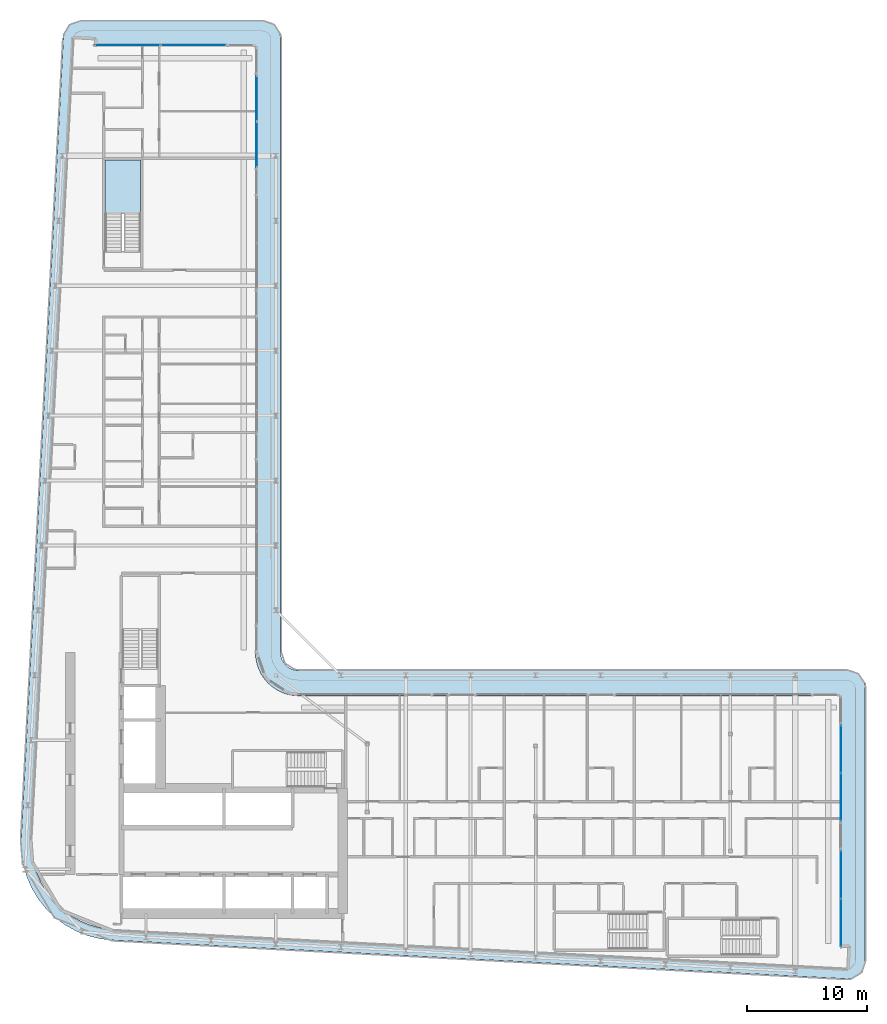
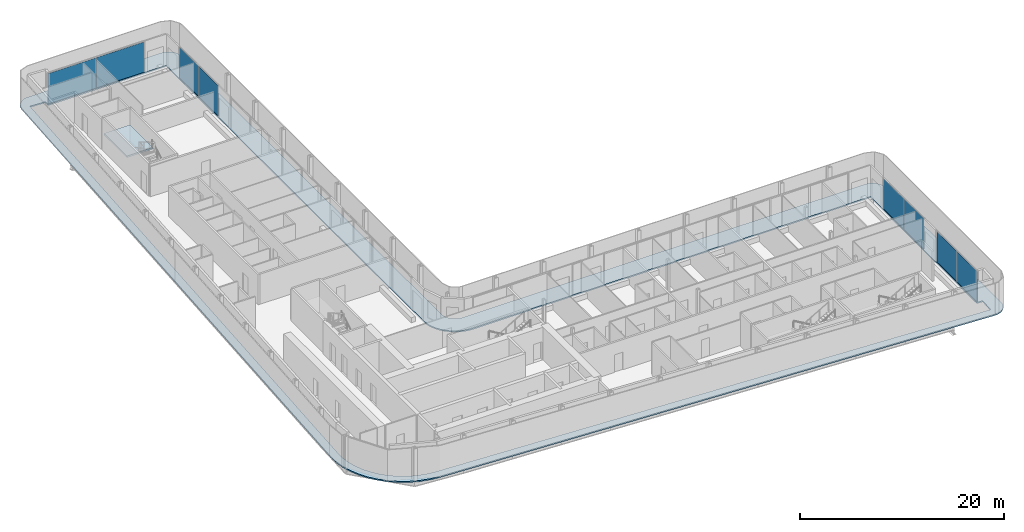
# One storey, part 14 of 30: 8 plates, 2 slabs, 5 elements without a shape of their own.
"""IFC4 building model written with IfcOpenShell, lengths in metres."""

import ifcopenshell
import ifcopenshell.guid

model = None  # the IFC model being written
_history = None  # IfcOwnerHistory: only IFC2X3 demands one
_inside = {}  # id of a spatial element -> (the spatial element, [elements in it])
_under = {}  # id of a project, library or spatial element -> (it, [spatial elements below it])
_declared = {}  # id of a project -> (the project, [libraries it declares])
_typed = {}  # id of a type object -> (the type object, [elements of that type])
_made_of = {}  # id of a material, layer set ... -> (it, [elements and type objects made of it])


def new_model(schema):
    """Start an empty IFC model of exactly this schema.

    Asked for "IFC4X3", IfcOpenShell would pick the latest addendum, in which some entities
    have other attributes; the version numbers below select the first issue.
    IFC2X3 requires an IfcOwnerHistory on every rooted entity: one is made here for all.
    """
    global model, _history
    if schema == "IFC4X3":
        model = ifcopenshell.file(schema_version=(4, 3, 0, 0))
    else:
        model = ifcopenshell.file(schema=schema)
    _inside.clear()
    _under.clear()
    _declared.clear()
    _typed.clear()
    _made_of.clear()
    _history = None
    if model.schema == "IFC2X3":
        org = make("IfcOrganization", Name="unknown")
        user = make(
            "IfcPersonAndOrganization",
            ThePerson=make("IfcPerson", FamilyName="unknown"),
            TheOrganization=org,
        )
        app = make(
            "IfcApplication",
            ApplicationDeveloper=org,
            Version="unknown",
            ApplicationFullName="unknown",
            ApplicationIdentifier="unknown",
        )
        _history = make(
            "IfcOwnerHistory",
            OwningUser=user,
            OwningApplication=app,
            ChangeAction="ADDED",
            CreationDate=0,
        )
    return model


def make(cls, **values):
    """One entity of the class cls with the attributes given. An attribute that is None is left unset."""
    return model.create_entity(
        cls, **{name: value for name, value in values.items() if value is not None}
    )


def rooted(cls, **values):
    """An entity with a GlobalId (a new one), such as an element, a storey or a relation."""
    return make(cls, GlobalId=ifcopenshell.guid.new(), OwnerHistory=_history, **values)


def si_unit(unit_type, name, prefix=None):
    """IfcSIUnit, for example si_unit("LENGTHUNIT", "METRE", prefix="MILLI")."""
    return make("IfcSIUnit", UnitType=unit_type, Prefix=prefix, Name=name)


def assignment(units):
    """IfcUnitAssignment: the units of a project."""
    return None if units is None else make("IfcUnitAssignment", Units=units)


def point(xyz):
    """IfcCartesianPoint."""
    return None if xyz is None else make("IfcCartesianPoint", Coordinates=xyz)


def direction(xyz):
    """IfcDirection."""
    return None if xyz is None else make("IfcDirection", DirectionRatios=xyz)


def frame(location, z_axis=None, x_axis=None):
    """IfcAxis2Placement3D, a coordinate frame: its origin and axes. An axis left out is left unset."""
    return make(
        "IfcAxis2Placement3D",
        Location=point(location),
        Axis=direction(z_axis),
        RefDirection=direction(x_axis),
    )


def frame_2d(location, x_axis=None):
    """IfcAxis2Placement2D, a coordinate frame in the plane: its origin and x axis."""
    return make(
        "IfcAxis2Placement2D", Location=point(location), RefDirection=direction(x_axis)
    )


def origin():
    """The frame at (0, 0, 0) with its axes left unset."""
    return frame((0.0, 0.0, 0.0))


def origin_2d():
    """The frame at (0, 0) in the plane with its x axis left unset."""
    return frame_2d((0.0, 0.0))


def place(relative_to, where):
    """IfcLocalPlacement: puts the frame where relative to a parent placement (None: the world)."""
    return make(
        "IfcLocalPlacement", PlacementRelTo=relative_to, RelativePlacement=where
    )


def context(
    kind, dimensions, precision=None, world=None, true_north=None, identifier=None
):
    """IfcGeometricRepresentationContext, for example the 3D "Model" context."""
    return make(
        "IfcGeometricRepresentationContext",
        ContextIdentifier=identifier,
        ContextType=kind,
        CoordinateSpaceDimension=dimensions,
        Precision=precision,
        WorldCoordinateSystem=world,
        TrueNorth=true_north,
    )


def subcontext(parent, identifier, kind, view, scale=None):
    """IfcGeometricRepresentationSubContext, for example "Body" below "Model"."""
    return make(
        "IfcGeometricRepresentationSubContext",
        ContextIdentifier=identifier,
        ContextType=kind,
        ParentContext=parent,
        TargetScale=scale,
        TargetView=view,
    )


def project(units=None, contexts=None):
    """IfcProject with its units and contexts."""
    return rooted(
        "IfcProject",
        Name="project",
        RepresentationContexts=contexts,
        UnitsInContext=assignment(units),
    )


def spatial(cls, under=None, at=None, **own):
    """A site, building, storey or space (cls), placed at a placement, below another one or the project."""
    s = rooted(cls, ObjectPlacement=at, **own)
    if under is not None:
        _under.setdefault(under.id(), (under, []))[1].append(s)
    return s


def polyline(points):
    """IfcPolyline through the points."""
    return make("IfcPolyline", Points=[point(p) for p in points])


def profile(cls, at=None, kind="AREA", **sizes):
    """A parametric profile (cls). Its sizes go by their IFC names, for example OverallWidth=200.0."""
    return make(cls, ProfileType=kind, Position=at, **sizes)


def rectangle(**sizes):
    """IfcRectangleProfileDef."""
    return profile("IfcRectangleProfileDef", **sizes)


def outline(outer, holes=None, kind="AREA"):
    """IfcArbitraryClosedProfileDef: a profile drawn as a closed curve; with holes, ...WithVoids."""
    if holes is None:
        return make("IfcArbitraryClosedProfileDef", ProfileType=kind, OuterCurve=outer)
    return make(
        "IfcArbitraryProfileDefWithVoids",
        ProfileType=kind,
        OuterCurve=outer,
        InnerCurves=holes,
    )


def extrude(swept, where, along, depth):
    """IfcExtrudedAreaSolid: the profile swept, set in the frame where, extruded along a direction by depth."""
    return make(
        "IfcExtrudedAreaSolid",
        SweptArea=swept,
        Position=where,
        ExtrudedDirection=direction(along),
        Depth=depth,
    )


def shape(context_of_items, identifier, shape_type, items):
    """IfcShapeRepresentation: the items that make up one representation, for example the "Body"."""
    return make(
        "IfcShapeRepresentation",
        ContextOfItems=context_of_items,
        RepresentationIdentifier=identifier,
        RepresentationType=shape_type,
        Items=items,
    )


def material(Name=None, Category=None):
    """IfcMaterial."""
    return make("IfcMaterial", Name=Name, Category=Category)


def layer(
    of_material, thickness, ventilated=None, Name=None, Category=None, Priority=None
):
    """IfcMaterialLayer: one layer of a wall or slab, of a material (None: an air gap)."""
    return make(
        "IfcMaterialLayer",
        Material=of_material,
        LayerThickness=thickness,
        IsVentilated=ventilated,
        Name=Name,
        Category=Category,
        Priority=Priority,
    )


def layer_set(layers, Name=None):
    """IfcMaterialLayerSet."""
    return make("IfcMaterialLayerSet", MaterialLayers=layers, LayerSetName=Name)


def made_of(thing, what):
    """Note that an element or type object is made of a material, layer set ...; save() writes the relation."""
    if what is not None:
        _made_of.setdefault(what.id(), (what, []))[1].append(thing)
    return thing


def type_object(cls, material=None, **own):
    """A type object (cls), such as IfcWallType, which elements share."""
    return made_of(rooted(cls, **own), material)


def element(
    cls,
    number,
    at=None,
    inside=None,
    cuts=None,
    type_object=None,
    material=None,
    context=None,
    identifier="Body",
    shape_type=None,
    held_by="IfcProductDefinitionShape",
    body=None,
    shapes=None,
    **own,
):
    """One element of the class cls, such as IfcWall. Its Tag is "e" and its number.

    at: its placement. inside: the storey or other place that contains it. cuts: it is an
    opening in that element (IfcRelVoidsElement). A single representation is given by context,
    identifier, shape_type and body (its items); several are given by shapes. held_by: the class
    of the entity that holds the representations. save() writes the other relations.
    """
    e = rooted(cls, Tag="e%d" % number, ObjectPlacement=at, **own)
    if body is not None:
        shapes = [shape(context, identifier, shape_type, body)]
    if shapes is not None:
        e.Representation = make(held_by, Representations=shapes)
    if inside is not None:
        _inside.setdefault(inside.id(), (inside, []))[1].append(e)
    if cuts is not None:
        rooted(
            "IfcRelVoidsElement", RelatingBuildingElement=cuts, RelatedOpeningElement=e
        )
    if type_object is not None:
        _typed.setdefault(type_object.id(), (type_object, []))[1].append(e)
    return made_of(e, material)


def aggregate(whole, parts):
    """IfcRelAggregates: a whole, such as a stair, and the parts it consists of."""
    return rooted("IfcRelAggregates", RelatingObject=whole, RelatedObjects=parts)


def save(model, path):
    """Write the relations noted so far, then the file.

    IfcRelAggregates (storeys below a building ...), IfcRelContainedInSpatialStructure (elements
    in a storey), IfcRelDefinesByType, IfcRelAssociatesMaterial and IfcRelDeclares: one each for
    every whole, place, type object, material and project.
    """
    for whole, parts in _under.values():
        aggregate(whole, parts)
    for where, things in _inside.values():
        rooted(
            "IfcRelContainedInSpatialStructure",
            RelatedElements=things,
            RelatingStructure=where,
        )
    for kind, things in _typed.values():
        rooted("IfcRelDefinesByType", RelatedObjects=things, RelatingType=kind)
    for what, things in _made_of.values():
        rooted("IfcRelAssociatesMaterial", RelatedObjects=things, RelatingMaterial=what)
    for by, libraries in _declared.values():
        rooted("IfcRelDeclares", RelatingContext=by, RelatedDefinitions=libraries)
    model.write(path)


model = new_model("IFC4")

# Units and contexts
model_context = context("Model", 3, precision=1e-05, world=origin(), true_north=direction((0.0, 1.0)))
body_context = subcontext(model_context, "Body", "Model", "MODEL_VIEW")
ifc_project = project(units=[si_unit("LENGTHUNIT", "METRE"), si_unit("AREAUNIT", "SQUARE_METRE"), si_unit("VOLUMEUNIT", "CUBIC_METRE"), si_unit("PLANEANGLEUNIT", "RADIAN"), si_unit("MASSUNIT", "GRAM", prefix="KILO")], contexts=[model_context])

# Site, building, storey
site_placement = place(None, origin())
site = spatial("IfcSite", under=ifc_project, at=site_placement, CompositionType="ELEMENT")
building_placement = place(site_placement, origin())
building = spatial("IfcBuilding", under=site, at=building_placement, Name="Kheshtan School and Residences Tower", CompositionType="ELEMENT")
storey_placement = place(building_placement, frame((0.0, 0.0, 164.300048828125)))
storey = spatial("IfcBuildingStorey", under=building, at=storey_placement, Name="L38", CompositionType="ELEMENT", Elevation=164.300048828125)

# Curtain wall, plates
ifc_material_1 = material(Name="Clear low-e glass in thermally broken aluminium frame", Category="aluminium")
ifc_layer_1 = layer(ifc_material_1, 0.199951171875)
ifc_layer_set_1 = layer_set([ifc_layer_1], Name="Curtain wall CW-L")
curtain_wall_type = type_object("IfcCurtainWallType", Name="Curtain wall CW-L", PredefinedType="NOTDEFINED", material=ifc_layer_set_1)
curtain_wall_1_placement = place(storey_placement, origin())
curtain_wall_1 = element("IfcCurtainWall", 1, at=curtain_wall_1_placement, inside=storey, type_object=curtain_wall_type, Name="Curtain wall CWL7", PredefinedType="NOTDEFINED")
ifc_layer_2 = layer(ifc_material_1, 0.031982421875)
ifc_layer_set_2 = layer_set([ifc_layer_2], Name="CW-L glass panel")
plate_type = type_object("IfcPlateType", Name="CW-L glass panel", PredefinedType="CURTAIN_PANEL", material=ifc_layer_set_2)
plate_1_placement = place(storey_placement, frame((35.259033203125, 98.0, 0.0), z_axis=(0.0, 0.0, 1.0), x_axis=(1.0, 0.0, 0.0)))
plate_1 = element("IfcPlate", 2, at=plate_1_placement, type_object=plate_type, Name="CWL7 panel 1.1", PredefinedType="CURTAIN_PANEL", context=body_context, shape_type="SweptSolid", body=[
    extrude(rectangle(XDim=5.4140625, YDim=0.031982421875, at=origin_2d()), origin(), (0.0, 0.0, 1.0), 3.6298828125),
])
plate_2_placement = place(storey_placement, frame((40.73291015625, 98.0, 0.0), z_axis=(0.0, 0.0, 1.0), x_axis=(1.0, 0.0, 0.0)))
plate_2 = element("IfcPlate", 3, at=plate_2_placement, type_object=plate_type, Name="CWL7 panel 2.1", PredefinedType="CURTAIN_PANEL", context=body_context, shape_type="SweptSolid", body=[
    extrude(rectangle(XDim=5.4140625, YDim=0.031982421875, at=origin_2d()), origin(), (0.0, 0.0, 1.0), 3.6298828125),
])
aggregate(curtain_wall_1, [plate_1, plate_2])

curtain_wall_2_placement = place(storey_placement, origin())
curtain_wall_2 = element("IfcCurtainWall", 4, at=curtain_wall_2_placement, inside=storey, type_object=curtain_wall_type, Name="Curtain wall CWL8", PredefinedType="NOTDEFINED")
plate_3_placement = place(storey_placement, frame((46.0, 93.5615234375, 0.0), z_axis=(0.0, 0.0, 1.0), x_axis=(0.0, -1.0, 0.0)))
plate_3 = element("IfcPlate", 5, at=plate_3_placement, type_object=plate_type, Name="CWL8 panel 1.1", PredefinedType="CURTAIN_PANEL", context=body_context, shape_type="SweptSolid", body=[
    extrude(rectangle(XDim=3.757080078125, YDim=0.031982421875, at=origin_2d()), origin(), (0.0, 0.0, 1.0), 3.6298828125),
])
plate_4_placement = place(storey_placement, frame((46.0, 89.744384765625, 0.0), z_axis=(0.0, 0.0, 1.0), x_axis=(0.0, -1.0, 0.0)))
plate_4 = element("IfcPlate", 6, at=plate_4_placement, type_object=plate_type, Name="CWL8 panel 2.1", PredefinedType="CURTAIN_PANEL", context=body_context, shape_type="SweptSolid", body=[
    extrude(rectangle(XDim=3.757080078125, YDim=0.031982421875, at=origin_2d()), origin(), (0.0, 0.0, 1.0), 3.6298828125),
])
aggregate(curtain_wall_2, [plate_3, plate_4])

curtain_wall_3_placement = place(storey_placement, origin())
curtain_wall_3 = element("IfcCurtainWall", 7, at=curtain_wall_3_placement, inside=storey, type_object=curtain_wall_type, Name="Curtain wall CWL13a", PredefinedType="NOTDEFINED")
plate_5_placement = place(storey_placement, frame((94.60009765625, 39.47216796875, 0.0), z_axis=(0.0, 0.0, 1.0), x_axis=(0.0, -1.0, 0.0)))
plate_5 = element("IfcPlate", 8, at=plate_5_placement, type_object=plate_type, Name="CWL13a panel 1.1", PredefinedType="CURTAIN_PANEL", context=body_context, shape_type="SweptSolid", body=[
    extrude(rectangle(XDim=3.935546875, YDim=0.031982421875, at=origin_2d()), origin(), (0.0, 0.0, 1.0), 3.6298828125),
])
plate_6_placement = place(storey_placement, frame((94.60009765625, 35.476806640625, 0.0), z_axis=(0.0, 0.0, 1.0), x_axis=(0.0, -1.0, 0.0)))
plate_6 = element("IfcPlate", 9, at=plate_6_placement, type_object=plate_type, Name="CWL13a panel 2.1", PredefinedType="CURTAIN_PANEL", context=body_context, shape_type="SweptSolid", body=[
    extrude(rectangle(XDim=3.935546875, YDim=0.031982421875, at=origin_2d()), origin(), (0.0, 0.0, 1.0), 3.6298828125),
])
aggregate(curtain_wall_3, [plate_5, plate_6])

curtain_wall_4_placement = place(storey_placement, origin())
curtain_wall_4 = element("IfcCurtainWall", 10, at=curtain_wall_4_placement, inside=storey, type_object=curtain_wall_type, Name="Curtain wall CWL13a", PredefinedType="NOTDEFINED")
plate_7_placement = place(storey_placement, frame((94.60009765625, 29.021240234375, 0.0), z_axis=(0.0, 0.0, 1.0), x_axis=(0.0, -1.0, 0.0)))
plate_7 = element("IfcPlate", 11, at=plate_7_placement, type_object=plate_type, Name="CWL13a panel 1.1", PredefinedType="CURTAIN_PANEL", context=body_context, shape_type="SweptSolid", body=[
    extrude(rectangle(XDim=3.935546875, YDim=0.031982421875, at=origin_2d()), origin(), (0.0, 0.0, 1.0), 3.6298828125),
])
plate_8_placement = place(storey_placement, frame((94.60009765625, 25.025634765625, 0.0), z_axis=(0.0, 0.0, 1.0), x_axis=(0.0, -1.0, 0.0)))
plate_8 = element("IfcPlate", 12, at=plate_8_placement, type_object=plate_type, Name="CWL13a panel 2.1", PredefinedType="CURTAIN_PANEL", context=body_context, shape_type="SweptSolid", body=[
    extrude(rectangle(XDim=3.935546875, YDim=0.031982421875, at=origin_2d()), origin(), (0.0, 0.0, 1.0), 3.6298828125),
])
aggregate(curtain_wall_4, [plate_7, plate_8])

# Slab
ifc_material_2 = material(Name="Concrete C40/50", Category="concrete")
ifc_layer_3 = layer(ifc_material_2, 0.14990234375)
ifc_layer_set_3 = layer_set([ifc_layer_3], Name="Loggia balcony slab 150 Concrete C40/50")
slab_type_1 = type_object("IfcSlabType", Name="Loggia balcony slab 150 Concrete C40/50", PredefinedType="FLOOR", material=ifc_layer_set_3)
slab_1_placement = place(storey_placement, frame((0.0, 0.0, -0.150146484375)))
element("IfcSlab", 13, at=slab_1_placement, inside=storey, type_object=slab_type_1, Name="Loggia balcony slab L38", PredefinedType="FLOOR", context=body_context, shape_type="SweptSolid", body=[
    extrude(outline(polyline([(28.4580078125, 26.222900390625), (28.45703125, 26.222900390625), (28.45703125, 26.22412109375), (28.4560546875, 26.22412109375), (27.81494140625, 27.0390625), (27.281005859375, 27.93798828125), (26.867919921875, 28.89990234375), (26.583984375, 29.89990234375), (26.583984375, 29.906982421875), (26.43408203125, 30.943115234375), (26.419921875, 31.989013671875), (29.925048828125, 98.5791015625), (29.930908203125, 98.626953125), (29.930908203125, 98.6279296875), (29.929931640625, 98.6279296875), (29.929931640625, 98.62890625), (29.928955078125, 98.62890625), (29.928955078125, 98.6298828125), (29.927978515625, 98.6298828125), (29.927978515625, 98.631103515625), (29.927001953125, 98.631103515625), (29.927001953125, 98.632080078125), (29.927001953125, 98.633056640625), (29.945068359375, 98.781005859375), (29.945068359375, 98.783935546875), (29.945068359375, 98.784912109375), (29.946044921875, 98.784912109375), (29.946044921875, 98.785888671875), (29.947021484375, 98.785888671875), (29.947021484375, 98.787109375), (29.947998046875, 98.787109375), (29.948974609375, 98.787109375), (29.948974609375, 98.7880859375), (29.949951171875, 98.7880859375), (29.949951171875, 98.7890625), (29.949951171875, 98.791015625), (30.0029296875, 98.98388671875), (30.083984375, 99.175048828125), (30.18896484375, 99.35302734375), (30.31103515625, 99.507080078125), (30.31201171875, 99.507080078125), (30.31201171875, 99.508056640625), (30.31298828125, 99.508056640625), (30.31298828125, 99.509033203125), (30.31396484375, 99.509033203125), (30.31396484375, 99.510009765625), (30.31494140625, 99.510009765625), (30.31494140625, 99.510986328125), (30.31591796875, 99.510986328125), (30.31591796875, 99.511962890625), (30.31689453125, 99.511962890625), (30.31689453125, 99.512939453125), (30.318115234375, 99.512939453125), (30.320068359375, 99.512939453125), (30.321044921875, 99.512939453125), (30.321044921875, 99.513916015625), (30.468017578125, 99.656982421875), (30.468994140625, 99.656982421875), (30.468994140625, 99.657958984375), (30.469970703125, 99.657958984375), (30.469970703125, 99.658935546875), (30.470947265625, 99.658935546875), (30.470947265625, 99.659912109375), (30.471923828125, 99.659912109375), (30.471923828125, 99.660888671875), (30.472900390625, 99.660888671875), (30.472900390625, 99.662109375), (30.47412109375, 99.662109375), (30.47412109375, 99.6630859375), (30.47509765625, 99.6630859375), (30.47509765625, 99.6640625), (30.635986328125, 99.777099609375), (30.820068359375, 99.873046875), (31.007080078125, 99.943115234375), (31.013916015625, 99.943115234375), (31.217041015625, 99.986083984375), (31.423095703125, 100.0), (46.5, 100.0), (46.696044921875, 99.987060546875), (46.887939453125, 99.948974609375), (46.89501953125, 99.948974609375), (47.073974609375, 99.885986328125), (47.242919921875, 99.801025390625), (47.243896484375, 99.801025390625), (47.2470703125, 99.801025390625), (47.248046875, 99.801025390625), (47.248046875, 99.802001953125), (47.2490234375, 99.802001953125), (47.2490234375, 99.802978515625), (47.25, 99.802978515625), (47.2529296875, 99.802978515625), (47.25390625, 99.802978515625), (47.25390625, 99.802001953125), (47.2548828125, 99.802001953125), (47.2548828125, 99.801025390625), (47.256103515625, 99.801025390625), (47.256103515625, 99.800048828125), (47.257080078125, 99.800048828125), (47.257080078125, 99.799072265625), (47.258056640625, 99.799072265625), (47.258056640625, 99.798095703125), (47.412109375, 99.696044921875), (47.4130859375, 99.696044921875), (47.4130859375, 99.695068359375), (47.4140625, 99.695068359375), (47.4140625, 99.694091796875), (47.4140625, 99.68994140625), (47.4140625, 99.68896484375), (47.4150390625, 99.68896484375), (47.4150390625, 99.68798828125), (47.416015625, 99.68798828125), (47.416015625, 99.68701171875), (47.4169921875, 99.68701171875), (47.4169921875, 99.68603515625), (47.554931640625, 99.568115234375), (47.554931640625, 99.56689453125), (47.555908203125, 99.56689453125), (47.555908203125, 99.56591796875), (47.556884765625, 99.56591796875), (47.556884765625, 99.56494140625), (47.55810546875, 99.56494140625), (47.55810546875, 99.56396484375), (47.55908203125, 99.56396484375), (47.55908203125, 99.56298828125), (47.56005859375, 99.56298828125), (47.56005859375, 99.56201171875), (47.56103515625, 99.56201171875), (47.56201171875, 99.56103515625), (47.56201171875, 99.56005859375), (47.56298828125, 99.56005859375), (47.56298828125, 99.55908203125), (47.56396484375, 99.55908203125), (47.56396484375, 99.55810546875), (47.56494140625, 99.55810546875), (47.56494140625, 99.556884765625), (47.56591796875, 99.556884765625), (47.56591796875, 99.555908203125), (47.56689453125, 99.555908203125), (47.56689453125, 99.554931640625), (47.568115234375, 99.554931640625), (47.68505859375, 99.41796875), (47.68603515625, 99.41796875), (47.68603515625, 99.4169921875), (47.68701171875, 99.4169921875), (47.68701171875, 99.416015625), (47.68798828125, 99.416015625), (47.68798828125, 99.4150390625), (47.68896484375, 99.4150390625), (47.68896484375, 99.4140625), (47.68994140625, 99.4140625), (47.694091796875, 99.4140625), (47.695068359375, 99.4140625), (47.695068359375, 99.4130859375), (47.696044921875, 99.4130859375), (47.696044921875, 99.412109375), (47.797119140625, 99.259033203125), (47.798095703125, 99.259033203125), (47.798095703125, 99.258056640625), (47.799072265625, 99.258056640625), (47.799072265625, 99.257080078125), (47.800048828125, 99.257080078125), (47.800048828125, 99.256103515625), (47.801025390625, 99.256103515625), (47.801025390625, 99.2548828125), (47.802001953125, 99.2548828125), (47.802001953125, 99.25390625), (47.802978515625, 99.25390625), (47.802978515625, 99.2529296875), (47.802978515625, 99.25), (47.802978515625, 99.2490234375), (47.802001953125, 99.2490234375), (47.802001953125, 99.248046875), (47.801025390625, 99.248046875), (47.801025390625, 99.2470703125), (47.801025390625, 99.243896484375), (47.801025390625, 99.242919921875), (47.885986328125, 99.073974609375), (47.948974609375, 98.89501953125), (47.948974609375, 98.887939453125), (47.987060546875, 98.696044921875), (48.0, 98.5), (48.0, 47.5), (48.012939453125, 47.303955078125), (48.051025390625, 47.113037109375), (48.051025390625, 47.10693359375), (48.051025390625, 47.10595703125), (48.114013671875, 46.926025390625), (48.200927734375, 46.75), (48.31005859375, 46.5869140625), (48.431884765625, 46.444091796875), (48.43310546875, 46.444091796875), (48.43310546875, 46.443115234375), (48.43408203125, 46.443115234375), (48.43408203125, 46.44189453125), (48.43505859375, 46.44189453125), (48.43505859375, 46.44091796875), (48.43603515625, 46.44091796875), (48.43603515625, 46.43994140625), (48.43701171875, 46.43994140625), (48.43701171875, 46.43896484375), (48.43798828125, 46.43896484375), (48.43896484375, 46.43798828125), (48.43896484375, 46.43701171875), (48.43994140625, 46.43701171875), (48.43994140625, 46.43603515625), (48.44091796875, 46.43603515625), (48.44091796875, 46.43505859375), (48.44189453125, 46.43505859375), (48.44189453125, 46.43408203125), (48.443115234375, 46.43408203125), (48.443115234375, 46.43310546875), (48.444091796875, 46.43310546875), (48.444091796875, 46.431884765625), (48.5869140625, 46.31005859375), (48.75, 46.200927734375), (48.926025390625, 46.114013671875), (49.10595703125, 46.051025390625), (49.10693359375, 46.051025390625), (49.113037109375, 46.051025390625), (49.303955078125, 46.012939453125), (49.5, 46.0), (95.10009765625, 46.0), (95.2958984375, 45.987060546875), (95.488037109375, 45.948974609375), (95.4951171875, 45.948974609375), (95.674072265625, 45.885986328125), (95.842041015625, 45.801025390625), (95.843017578125, 45.801025390625), (95.846923828125, 45.801025390625), (95.847900390625, 45.801025390625), (95.847900390625, 45.802001953125), (95.84912109375, 45.802001953125), (95.84912109375, 45.802978515625), (95.85009765625, 45.802978515625), (95.85302734375, 45.802978515625), (95.85400390625, 45.802978515625), (95.85400390625, 45.802001953125), (95.85498046875, 45.802001953125), (95.85498046875, 45.801025390625), (95.85595703125, 45.801025390625), (95.85595703125, 45.800048828125), (95.85693359375, 45.800048828125), (95.85693359375, 45.799072265625), (95.85791015625, 45.799072265625), (95.85791015625, 45.798095703125), (95.85888671875, 45.798095703125), (95.85888671875, 45.797119140625), (95.860107421875, 45.797119140625), (95.860107421875, 45.7958984375), (96.011962890625, 45.696044921875), (96.012939453125, 45.696044921875), (96.012939453125, 45.695068359375), (96.013916015625, 45.695068359375), (96.013916015625, 45.694091796875), (96.013916015625, 45.68994140625), (96.013916015625, 45.68896484375), (96.014892578125, 45.68896484375), (96.014892578125, 45.68798828125), (96.01611328125, 45.68798828125), (96.01611328125, 45.68701171875), (96.01708984375, 45.68701171875), (96.01708984375, 45.68603515625), (96.01806640625, 45.68603515625), (96.01806640625, 45.68505859375), (96.01904296875, 45.68505859375), (96.01904296875, 45.68408203125), (96.155029296875, 45.568115234375), (96.155029296875, 45.56689453125), (96.156005859375, 45.56689453125), (96.156005859375, 45.56591796875), (96.156982421875, 45.56591796875), (96.156982421875, 45.56494140625), (96.157958984375, 45.56494140625), (96.157958984375, 45.56396484375), (96.158935546875, 45.56396484375), (96.158935546875, 45.56298828125), (96.159912109375, 45.56298828125), (96.159912109375, 45.56201171875), (96.160888671875, 45.56201171875), (96.162109375, 45.56103515625), (96.162109375, 45.56005859375), (96.1630859375, 45.56005859375), (96.1630859375, 45.55908203125), (96.1640625, 45.55908203125), (96.1640625, 45.55810546875), (96.1650390625, 45.55810546875), (96.1650390625, 45.556884765625), (96.166015625, 45.556884765625), (96.166015625, 45.555908203125), (96.1669921875, 45.555908203125), (96.1669921875, 45.554931640625), (96.16796875, 45.554931640625), (96.281982421875, 45.4208984375), (96.282958984375, 45.4208984375), (96.282958984375, 45.419921875), (96.283935546875, 45.419921875), (96.283935546875, 45.4189453125), (96.284912109375, 45.4189453125), (96.284912109375, 45.41796875), (96.285888671875, 45.41796875), (96.285888671875, 45.4169921875), (96.287109375, 45.4169921875), (96.287109375, 45.416015625), (96.2880859375, 45.416015625), (96.2880859375, 45.4150390625), (96.2890625, 45.4150390625), (96.2890625, 45.4140625), (96.2900390625, 45.4140625), (96.2939453125, 45.4140625), (96.294921875, 45.4140625), (96.294921875, 45.4130859375), (96.2958984375, 45.4130859375), (96.2958984375, 45.412109375), (96.39404296875, 45.261962890625), (96.39501953125, 45.261962890625), (96.39501953125, 45.260986328125), (96.39599609375, 45.260986328125), (96.39599609375, 45.260009765625), (96.39697265625, 45.260009765625), (96.39697265625, 45.259033203125), (96.39794921875, 45.259033203125), (96.39794921875, 45.258056640625), (96.39892578125, 45.258056640625), (96.39892578125, 45.257080078125), (96.39990234375, 45.257080078125), (96.39990234375, 45.256103515625), (96.40087890625, 45.256103515625), (96.40087890625, 45.2548828125), (96.402099609375, 45.2548828125), (96.402099609375, 45.25390625), (96.403076171875, 45.25390625), (96.403076171875, 45.2529296875), (96.403076171875, 45.25), (96.403076171875, 45.2490234375), (96.402099609375, 45.2490234375), (96.402099609375, 45.248046875), (96.40087890625, 45.248046875), (96.40087890625, 45.2470703125), (96.40087890625, 45.240966796875), (96.40087890625, 45.239990234375), (96.486083984375, 45.073974609375), (96.549072265625, 44.89501953125), (96.549072265625, 44.887939453125), (96.5869140625, 44.696044921875), (96.60009765625, 44.5), (96.60009765625, 21.864990234375), (96.5859375, 21.6630859375), (96.544921875, 21.464111328125), (96.544921875, 21.45703125), (96.47802734375, 21.27294921875), (96.385986328125, 21.093017578125), (96.27099609375, 20.927001953125), (96.27099609375, 20.926025390625), (96.27099609375, 20.925048828125), (96.27099609375, 20.924072265625), (96.27197265625, 20.924072265625), (96.27197265625, 20.923095703125), (96.27197265625, 20.9208984375), (96.27197265625, 20.919921875), (96.27099609375, 20.919921875), (96.27099609375, 20.9189453125), (96.137939453125, 20.77587890625), (96.135009765625, 20.77294921875), (96.134033203125, 20.77294921875), (96.134033203125, 20.77197265625), (96.133056640625, 20.77197265625), (96.131103515625, 20.77197265625), (96.1298828125, 20.77197265625), (96.1298828125, 20.77294921875), (96.12890625, 20.77294921875), (96.1279296875, 20.77294921875), (96.126953125, 20.77294921875), (95.97607421875, 20.64794921875), (95.803955078125, 20.541015625), (95.618896484375, 20.4580078125), (95.430908203125, 20.40087890625), (95.424072265625, 20.40087890625), (95.22412109375, 20.3701171875), (95.02099609375, 20.366943359375), (33.989013671875, 23.580078125), (33.94189453125, 23.5859375), (33.94091796875, 23.5859375), (33.93994140625, 23.5859375), (33.93994140625, 23.5849609375), (33.93896484375, 23.5849609375), (33.93896484375, 23.583984375), (33.93798828125, 23.583984375), (33.93798828125, 23.5830078125), (33.93701171875, 23.5830078125), (33.93701171875, 23.58203125), (33.93603515625, 23.58203125), (33.93505859375, 23.58203125), (32.952880859375, 23.697998046875), (32.949951171875, 23.697998046875), (32.948974609375, 23.697998046875), (32.948974609375, 23.698974609375), (32.947998046875, 23.698974609375), (32.947998046875, 23.699951171875), (32.947021484375, 23.699951171875), (32.947021484375, 23.700927734375), (32.947021484375, 23.702880859375), (32.947021484375, 23.7041015625), (32.946044921875, 23.7041015625), (32.946044921875, 23.705078125), (32.945068359375, 23.705078125), (32.944091796875, 23.705078125), (31.93603515625, 23.9609375), (31.928955078125, 23.9609375), (30.964111328125, 24.34912109375), (30.051025390625, 24.860107421875), (29.218994140625, 25.47900390625), (29.218994140625, 25.47998046875), (29.218017578125, 25.47998046875), (29.218017578125, 25.48095703125), (29.217041015625, 25.48095703125), (29.217041015625, 25.48193359375), (29.216064453125, 25.48193359375), (29.216064453125, 25.48291015625), (29.215087890625, 25.48291015625), (29.215087890625, 25.48388671875), (29.214111328125, 25.48388671875), (29.214111328125, 25.485107421875), (29.212890625, 25.485107421875), (29.212890625, 25.486083984375), (29.2119140625, 25.486083984375), (28.466064453125, 26.217041015625), (28.466064453125, 26.218017578125), (28.465087890625, 26.218017578125), (28.462890625, 26.218017578125), (28.4619140625, 26.218017578125), (28.4619140625, 26.218994140625), (28.4609375, 26.218994140625), (28.4609375, 26.219970703125), (28.4599609375, 26.219970703125), (28.4599609375, 26.220947265625), (28.458984375, 26.220947265625), (28.458984375, 26.221923828125), (28.4580078125, 26.221923828125), (28.4580078125, 26.222900390625)]), holes=[polyline([(29.12890625, 26.824951171875), (29.12890625, 26.823974609375), (29.1298828125, 26.823974609375), (29.1298828125, 26.822998046875), (29.131103515625, 26.822998046875), (29.131103515625, 26.822021484375), (29.132080078125, 26.822021484375), (29.132080078125, 26.821044921875), (29.133056640625, 26.821044921875), (29.133056640625, 26.820068359375), (29.134033203125, 26.820068359375), (29.794921875, 26.173095703125), (29.794921875, 26.172119140625), (29.7958984375, 26.172119140625), (29.798095703125, 26.172119140625), (29.799072265625, 26.172119140625), (29.799072265625, 26.1708984375), (29.800048828125, 26.1708984375), (29.800048828125, 26.169921875), (29.801025390625, 26.169921875), (29.801025390625, 26.1689453125), (29.802001953125, 26.1689453125), (29.802001953125, 26.16796875), (29.802978515625, 26.16796875), (29.802978515625, 26.1669921875), (29.803955078125, 26.1669921875), (29.803955078125, 26.166015625), (30.541015625, 25.616943359375), (31.35205078125, 25.1630859375), (32.208984375, 24.819091796875), (32.2099609375, 24.819091796875), (32.216064453125, 24.819091796875), (33.114990234375, 24.590087890625), (34.06591796875, 24.47705078125), (95.0380859375, 21.26708984375), (95.06494140625, 21.26806640625), (95.06591796875, 21.26806640625), (95.06689453125, 21.26806640625), (95.06689453125, 21.26904296875), (95.068115234375, 21.26904296875), (95.068115234375, 21.27001953125), (95.068115234375, 21.27099609375), (95.157958984375, 22.9599609375), (95.157958984375, 22.9609375), (95.157958984375, 22.9619140625), (95.156982421875, 22.9619140625), (95.156982421875, 22.962890625), (95.156005859375, 22.962890625), (95.155029296875, 22.962890625), (94.5009765625, 22.998046875), (94.5, 22.998046875), (94.5, 22.9990234375), (94.5, 43.89794921875), (94.5, 43.89892578125), (94.4990234375, 43.89892578125), (94.4990234375, 43.89990234375), (94.498046875, 43.89990234375), (49.429931640625, 43.89990234375), (49.030029296875, 43.927001953125), (48.569091796875, 44.01806640625), (48.56201171875, 44.01806640625), (48.1201171875, 44.169921875), (47.697021484375, 44.37890625), (47.30810546875, 44.638916015625), (46.95703125, 44.944091796875), (46.95703125, 44.945068359375), (46.9560546875, 44.945068359375), (46.9560546875, 44.946044921875), (46.955078125, 44.946044921875), (46.955078125, 44.947021484375), (46.9541015625, 44.947021484375), (46.9541015625, 44.947998046875), (46.952880859375, 44.947998046875), (46.952880859375, 44.948974609375), (46.951904296875, 44.948974609375), (46.951904296875, 44.949951171875), (46.951904296875, 44.950927734375), (46.950927734375, 44.950927734375), (46.950927734375, 44.951904296875), (46.949951171875, 44.951904296875), (46.948974609375, 44.951904296875), (46.948974609375, 44.952880859375), (46.947998046875, 44.952880859375), (46.947998046875, 44.9541015625), (46.947021484375, 44.9541015625), (46.947021484375, 44.955078125), (46.946044921875, 44.955078125), (46.946044921875, 44.9560546875), (46.945068359375, 44.9560546875), (46.945068359375, 44.95703125), (46.944091796875, 44.95703125), (46.638916015625, 45.30810546875), (46.37890625, 45.697021484375), (46.169921875, 46.1201171875), (46.01806640625, 46.56201171875), (46.01806640625, 46.569091796875), (45.927001953125, 47.030029296875), (45.89990234375, 47.429931640625), (45.89990234375, 97.89794921875), (45.89990234375, 97.89892578125), (45.89892578125, 97.89892578125), (45.89892578125, 97.89990234375), (45.89794921875, 97.89990234375), (32.492919921875, 97.89990234375), (32.491943359375, 97.89990234375), (32.52099609375, 98.43896484375), (32.52099609375, 98.43994140625), (32.52099609375, 98.44091796875), (32.52001953125, 98.44091796875), (32.52001953125, 98.44189453125), (32.51904296875, 98.44189453125), (32.51806640625, 98.44189453125), (30.8291015625, 98.531982421875), (30.827880859375, 98.531982421875), (30.826904296875, 98.531982421875), (30.826904296875, 98.531005859375), (30.825927734375, 98.531005859375), (30.825927734375, 98.530029296875), (30.825927734375, 98.529052734375), (30.822021484375, 98.5009765625), (27.320068359375, 31.970947265625), (27.3330078125, 31.013916015625), (27.466064453125, 30.093994140625), (27.466064453125, 30.087890625), (27.466064453125, 30.0869140625), (27.718017578125, 29.200927734375), (28.0849609375, 28.345947265625), (28.55908203125, 27.550048828125), (29.126953125, 26.825927734375), (29.1279296875, 26.825927734375), (29.1279296875, 26.824951171875), (29.12890625, 26.824951171875)])]), origin(), (0.0, 0.0, 1.0), 0.150146484375),
])

# Stair, slab
stair_type = type_object("IfcStairType", Name="Exit stair, half-turn", PredefinedType="HALF_TURN_STAIR", material=ifc_material_2)
stair_placement = place(storey_placement, origin())
stair = element("IfcStair", 14, at=stair_placement, inside=storey, type_object=stair_type, Name="L38 Protected Exit Stair ST3", PredefinedType="HALF_TURN_STAIR")
ifc_layer_4 = layer(ifc_material_2, 0.199951171875)
ifc_layer_set_4 = layer_set([ifc_layer_4], Name="Stair landing 200 Concrete C40/50")
slab_type_2 = type_object("IfcSlabType", Name="Stair landing 200 Concrete C40/50", PredefinedType="LANDING", material=ifc_layer_set_4)
slab_2_placement = place(storey_placement, frame((0.0, 0.0, 1.75)))
slab_2 = element("IfcSlab", 15, at=slab_2_placement, type_object=slab_type_2, Name="ST3 landing 1", PredefinedType="LANDING", context=body_context, shape_type="SweptSolid", body=[
    extrude(outline(polyline([(36.35009765625, 83.97998046875), (36.35009765625, 88.4599609375), (33.39990234375, 88.4599609375), (33.39990234375, 83.97998046875), (36.35009765625, 83.97998046875)])), origin(), (0.0, 0.0, 1.0), 0.199951171875),
])
aggregate(stair, [slab_2])

save(model, "model.ifc")
